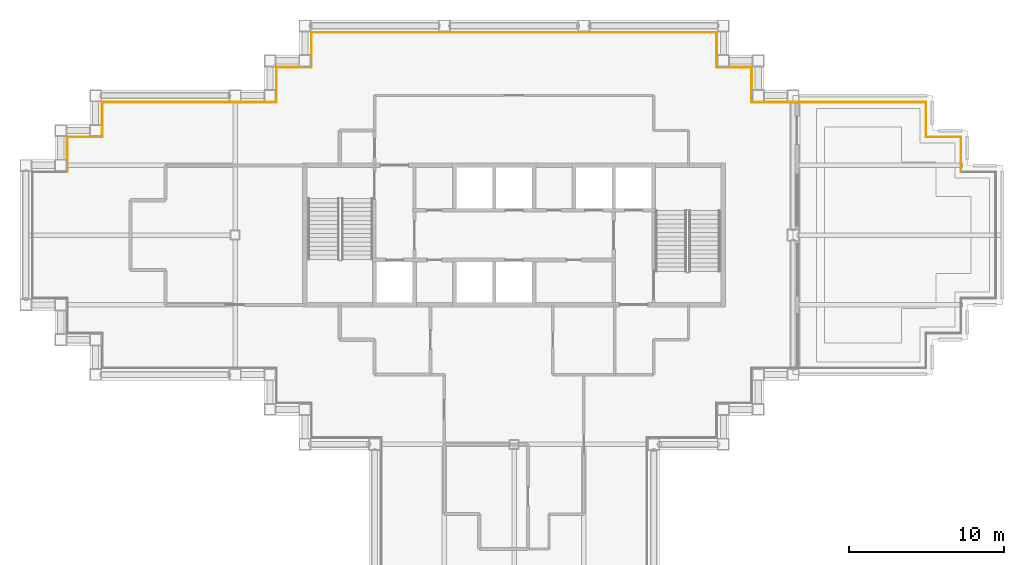
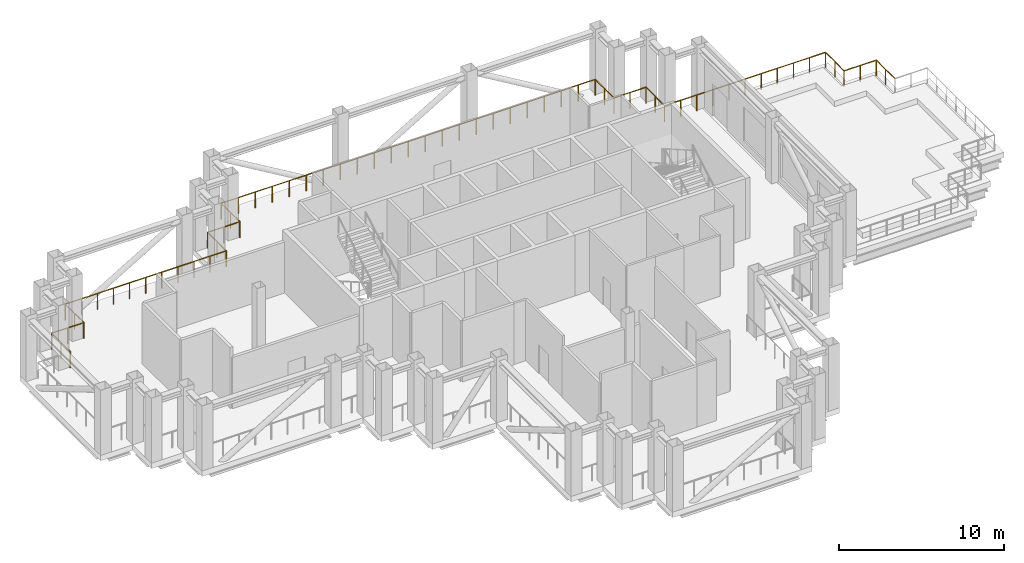
# One storey, part 10 of 10: 15 railings.
"""IFC4 building model written with IfcOpenShell, lengths in metres."""

from ifc_helpers import new_model, si_unit, direction, frame, origin, origin_2d, place, context, subcontext, project, spatial, circle, extrude, material, type_object, element, save


model = new_model("IFC4")

# Units and contexts
model_context = context("Model", 3, precision=1e-05, world=origin(), true_north=direction((0.0, 1.0)))
body_context = subcontext(model_context, "Body", "Model", "MODEL_VIEW")
ifc_project = project(units=[si_unit("LENGTHUNIT", "METRE"), si_unit("AREAUNIT", "SQUARE_METRE"), si_unit("VOLUMEUNIT", "CUBIC_METRE"), si_unit("PLANEANGLEUNIT", "RADIAN"), si_unit("MASSUNIT", "GRAM", prefix="KILO")], contexts=[model_context])

# Site, building, storey
site_placement = place(None, origin())
site = spatial("IfcSite", under=ifc_project, at=site_placement, CompositionType="ELEMENT")
building_placement = place(site_placement, origin())
building = spatial("IfcBuilding", under=site, at=building_placement, Name="Caravel Reach Hotel and Residences", CompositionType="ELEMENT")
storey_placement = place(building_placement, frame((0.0, 0.0, 187.60009765625)))
storey = spatial("IfcBuildingStorey", under=building, at=storey_placement, Name="L47", CompositionType="ELEMENT", Elevation=187.60009765625)

# Railings
ifc_material = material(Name="Stainless steel S30408", Category="steel")
railing_type = type_object("IfcRailingType", Name="G1 Guard 1200 stainless", PredefinedType="GUARDRAIL", material=ifc_material)
railing_1_placement = place(storey_placement, frame((60.324951171875, 31.074951171875, 0.0)))
element("IfcRailing", 1, at=railing_1_placement, inside=storey, type_object=railing_type, Name="Guard L47 1 run 8", PredefinedType="GUARDRAIL", context=body_context, shape_type="SweptSolid", body=[
    extrude(circle(Radius=0.02392578125, at=origin_2d()), frame((0.0, 0.0, 1.17578125), z_axis=(0.0, 1.0, 0.0), x_axis=(-1.0, 0.0, 0.0)), (0.0, 0.0, 1.0), 2.25),
    extrude(circle(Radius=0.02099609375, at=origin_2d()), frame((0.0, 1.125, 0.0)), (0.0, 0.0, 1.0), 1.15185546875),
    extrude(circle(Radius=0.02099609375, at=origin_2d()), frame((0.0, 2.25, 0.0)), (0.0, 0.0, 1.0), 1.15185546875),
])
railing_2_placement = place(storey_placement, frame((60.324951171875, 33.324951171875, 0.0)))
element("IfcRailing", 2, at=railing_2_placement, inside=storey, type_object=railing_type, Name="Guard L47 1 run 9", PredefinedType="GUARDRAIL", context=body_context, shape_type="SweptSolid", body=[
    extrude(circle(Radius=0.02392578125, at=origin_2d()), frame((0.0, 0.0, 1.17578125), z_axis=(-1.0, 0.0, 0.0), x_axis=(0.0, -1.0, 0.0)), (0.0, 0.0, 1.0), 2.25),
    extrude(circle(Radius=0.02099609375, at=origin_2d()), frame((-1.125, 0.0, 0.0)), (0.0, 0.0, 1.0), 1.15185546875),
    extrude(circle(Radius=0.02099609375, at=origin_2d()), frame((-2.25, 0.0, 0.0)), (0.0, 0.0, 1.0), 1.15185546875),
])
railing_3_placement = place(storey_placement, frame((58.074951171875, 33.324951171875, 0.0)))
element("IfcRailing", 3, at=railing_3_placement, inside=storey, type_object=railing_type, Name="Guard L47 1 run 10", PredefinedType="GUARDRAIL", context=body_context, shape_type="SweptSolid", body=[
    extrude(circle(Radius=0.02392578125, at=origin_2d()), frame((0.0, 0.0, 1.17578125), z_axis=(0.0, 1.0, 0.0), x_axis=(-1.0, 0.0, 0.0)), (0.0, 0.0, 1.0), 2.25),
    extrude(circle(Radius=0.02099609375, at=origin_2d()), frame((0.0, 1.125, 0.0)), (0.0, 0.0, 1.0), 1.15185546875),
    extrude(circle(Radius=0.02099609375, at=origin_2d()), frame((0.0, 2.25, 0.0)), (0.0, 0.0, 1.0), 1.15185546875),
])
railing_4_placement = place(storey_placement, frame((58.074951171875, 35.574951171875, 0.0)))
element("IfcRailing", 4, at=railing_4_placement, inside=storey, type_object=railing_type, Name="Guard L47 1 run 11", PredefinedType="GUARDRAIL", context=body_context, shape_type="SweptSolid", body=[
    extrude(circle(Radius=0.02392578125, at=origin_2d()), frame((0.0, 0.0, 1.17578125), z_axis=(-1.0, 0.0, 0.0), x_axis=(0.0, -1.0, 0.0)), (0.0, 0.0, 1.0), 11.25),
    extrude(circle(Radius=0.02099609375, at=origin_2d()), frame((-1.125, 0.0, 0.0)), (0.0, 0.0, 1.0), 1.15185546875),
    extrude(circle(Radius=0.02099609375, at=origin_2d()), frame((-2.25, 0.0, 0.0)), (0.0, 0.0, 1.0), 1.15185546875),
    extrude(circle(Radius=0.02099609375, at=origin_2d()), frame((-3.375, 0.0, 0.0)), (0.0, 0.0, 1.0), 1.15185546875),
    extrude(circle(Radius=0.02099609375, at=origin_2d()), frame((-4.5, 0.0, 0.0)), (0.0, 0.0, 1.0), 1.15185546875),
    extrude(circle(Radius=0.02099609375, at=origin_2d()), frame((-5.625, 0.0, 0.0)), (0.0, 0.0, 1.0), 1.15185546875),
    extrude(circle(Radius=0.02099609375, at=origin_2d()), frame((-6.75, 0.0, 0.0)), (0.0, 0.0, 1.0), 1.15185546875),
    extrude(circle(Radius=0.02099609375, at=origin_2d()), frame((-7.875, 0.0, 0.0)), (0.0, 0.0, 1.0), 1.15185546875),
    extrude(circle(Radius=0.02099609375, at=origin_2d()), frame((-9.0, 0.0, 0.0)), (0.0, 0.0, 1.0), 1.15185546875),
    extrude(circle(Radius=0.02099609375, at=origin_2d()), frame((-10.125, 0.0, 0.0)), (0.0, 0.0, 1.0), 1.15185546875),
    extrude(circle(Radius=0.02099609375, at=origin_2d()), frame((-11.25, 0.0, 0.0)), (0.0, 0.0, 1.0), 1.15185546875),
])
railing_5_placement = place(storey_placement, frame((46.824951171875, 35.574951171875, 0.0)))
element("IfcRailing", 5, at=railing_5_placement, inside=storey, type_object=railing_type, Name="Guard L47 1 run 12", PredefinedType="GUARDRAIL", context=body_context, shape_type="SweptSolid", body=[
    extrude(circle(Radius=0.02392578125, at=origin_2d()), frame((0.0, 0.0, 1.17578125), z_axis=(0.0, 1.0, 0.0), x_axis=(-1.0, 0.0, 0.0)), (0.0, 0.0, 1.0), 2.25),
    extrude(circle(Radius=0.02099609375, at=origin_2d()), frame((0.0, 1.125, 0.0)), (0.0, 0.0, 1.0), 1.15185546875),
    extrude(circle(Radius=0.02099609375, at=origin_2d()), frame((0.0, 2.25, 0.0)), (0.0, 0.0, 1.0), 1.15185546875),
])
railing_6_placement = place(storey_placement, frame((46.824951171875, 37.824951171875, 0.0)))
element("IfcRailing", 6, at=railing_6_placement, inside=storey, type_object=railing_type, Name="Guard L47 1 run 13", PredefinedType="GUARDRAIL", context=body_context, shape_type="SweptSolid", body=[
    extrude(circle(Radius=0.02392578125, at=origin_2d()), frame((0.0, 0.0, 1.17578125), z_axis=(-1.0, 0.0, 0.0), x_axis=(0.0, -1.0, 0.0)), (0.0, 0.0, 1.0), 2.25),
    extrude(circle(Radius=0.02099609375, at=origin_2d()), frame((-1.125, 0.0, 0.0)), (0.0, 0.0, 1.0), 1.15185546875),
    extrude(circle(Radius=0.02099609375, at=origin_2d()), frame((-2.25, 0.0, 0.0)), (0.0, 0.0, 1.0), 1.15185546875),
])
railing_7_placement = place(storey_placement, frame((44.574951171875, 37.824951171875, 0.0)))
element("IfcRailing", 7, at=railing_7_placement, inside=storey, type_object=railing_type, Name="Guard L47 1 run 14", PredefinedType="GUARDRAIL", context=body_context, shape_type="SweptSolid", body=[
    extrude(circle(Radius=0.02392578125, at=origin_2d()), frame((0.0, 0.0, 1.17578125), z_axis=(0.0, 1.0, 0.0), x_axis=(-1.0, 0.0, 0.0)), (0.0, 0.0, 1.0), 2.25),
    extrude(circle(Radius=0.02099609375, at=origin_2d()), frame((0.0, 1.125, 0.0)), (0.0, 0.0, 1.0), 1.15185546875),
    extrude(circle(Radius=0.02099609375, at=origin_2d()), frame((0.0, 2.25, 0.0)), (0.0, 0.0, 1.0), 1.15185546875),
])
railing_8_placement = place(storey_placement, frame((44.574951171875, 40.074951171875, 0.0)))
element("IfcRailing", 8, at=railing_8_placement, inside=storey, type_object=railing_type, Name="Guard L47 1 run 15", PredefinedType="GUARDRAIL", context=body_context, shape_type="SweptSolid", body=[
    extrude(circle(Radius=0.02392578125, at=origin_2d()), frame((0.0, 0.0, 1.17578125), z_axis=(-1.0, 0.0, 0.0), x_axis=(0.0, -1.0, 0.0)), (0.0, 0.0, 1.0), 26.14990234375),
    extrude(circle(Radius=0.02099609375, at=origin_2d()), frame((-1.188720703125, 0.0, 0.0)), (0.0, 0.0, 1.0), 1.15185546875),
    extrude(circle(Radius=0.02099609375, at=origin_2d()), frame((-2.377197265625, 0.0, 0.0)), (0.0, 0.0, 1.0), 1.15185546875),
    extrude(circle(Radius=0.02099609375, at=origin_2d()), frame((-3.56591796875, 0.0, 0.0)), (0.0, 0.0, 1.0), 1.15185546875),
    extrude(circle(Radius=0.02099609375, at=origin_2d()), frame((-4.754638671875, 0.0, 0.0)), (0.0, 0.0, 1.0), 1.15185546875),
    extrude(circle(Radius=0.02099609375, at=origin_2d()), frame((-5.943115234375, 0.0, 0.0)), (0.0, 0.0, 1.0), 1.15185546875),
    extrude(circle(Radius=0.02099609375, at=origin_2d()), frame((-7.1318359375, 0.0, 0.0)), (0.0, 0.0, 1.0), 1.15185546875),
    extrude(circle(Radius=0.02099609375, at=origin_2d()), frame((-8.3203125, 0.0, 0.0)), (0.0, 0.0, 1.0), 1.15185546875),
    extrude(circle(Radius=0.02099609375, at=origin_2d()), frame((-9.509033203125, 0.0, 0.0)), (0.0, 0.0, 1.0), 1.15185546875),
    extrude(circle(Radius=0.02099609375, at=origin_2d()), frame((-10.69775390625, 0.0, 0.0)), (0.0, 0.0, 1.0), 1.15185546875),
    extrude(circle(Radius=0.02099609375, at=origin_2d()), frame((-11.88623046875, 0.0, 0.0)), (0.0, 0.0, 1.0), 1.15185546875),
    extrude(circle(Radius=0.02099609375, at=origin_2d()), frame((-13.074951171875, 0.0, 0.0)), (0.0, 0.0, 1.0), 1.15185546875),
    extrude(circle(Radius=0.02099609375, at=origin_2d()), frame((-14.263671875, 0.0, 0.0)), (0.0, 0.0, 1.0), 1.15185546875),
    extrude(circle(Radius=0.02099609375, at=origin_2d()), frame((-15.4521484375, 0.0, 0.0)), (0.0, 0.0, 1.0), 1.15185546875),
    extrude(circle(Radius=0.02099609375, at=origin_2d()), frame((-16.640869140625, 0.0, 0.0)), (0.0, 0.0, 1.0), 1.15185546875),
    extrude(circle(Radius=0.02099609375, at=origin_2d()), frame((-17.82958984375, 0.0, 0.0)), (0.0, 0.0, 1.0), 1.15185546875),
    extrude(circle(Radius=0.02099609375, at=origin_2d()), frame((-19.01806640625, 0.0, 0.0)), (0.0, 0.0, 1.0), 1.15185546875),
    extrude(circle(Radius=0.02099609375, at=origin_2d()), frame((-20.206787109375, 0.0, 0.0)), (0.0, 0.0, 1.0), 1.15185546875),
    extrude(circle(Radius=0.02099609375, at=origin_2d()), frame((-21.395263671875, 0.0, 0.0)), (0.0, 0.0, 1.0), 1.15185546875),
    extrude(circle(Radius=0.02099609375, at=origin_2d()), frame((-22.583984375, 0.0, 0.0)), (0.0, 0.0, 1.0), 1.15185546875),
    extrude(circle(Radius=0.02099609375, at=origin_2d()), frame((-23.772705078125, 0.0, 0.0)), (0.0, 0.0, 1.0), 1.15185546875),
    extrude(circle(Radius=0.02099609375, at=origin_2d()), frame((-24.961181640625, 0.0, 0.0)), (0.0, 0.0, 1.0), 1.15185546875),
    extrude(circle(Radius=0.02099609375, at=origin_2d()), frame((-26.14990234375, 0.0, 0.0)), (0.0, 0.0, 1.0), 1.15185546875),
])
railing_9_placement = place(storey_placement, frame((18.425048828125, 40.074951171875, 0.0)))
element("IfcRailing", 9, at=railing_9_placement, inside=storey, type_object=railing_type, Name="Guard L47 1 run 16", PredefinedType="GUARDRAIL", context=body_context, shape_type="SweptSolid", body=[
    extrude(circle(Radius=0.02392578125, at=origin_2d()), frame((0.0, 0.0, 1.17578125), z_axis=(0.0, -1.0, 0.0), x_axis=(1.0, 0.0, 0.0)), (0.0, 0.0, 1.0), 2.25),
    extrude(circle(Radius=0.02099609375, at=origin_2d()), frame((0.0, -1.125, 0.0)), (0.0, 0.0, 1.0), 1.15185546875),
    extrude(circle(Radius=0.02099609375, at=origin_2d()), frame((0.0, -2.25, 0.0)), (0.0, 0.0, 1.0), 1.15185546875),
])
railing_10_placement = place(storey_placement, frame((18.425048828125, 37.824951171875, 0.0)))
element("IfcRailing", 10, at=railing_10_placement, inside=storey, type_object=railing_type, Name="Guard L47 1 run 17", PredefinedType="GUARDRAIL", context=body_context, shape_type="SweptSolid", body=[
    extrude(circle(Radius=0.02392578125, at=origin_2d()), frame((0.0, 0.0, 1.17578125), z_axis=(-1.0, 0.0, 0.0), x_axis=(0.0, -1.0, 0.0)), (0.0, 0.0, 1.0), 2.25),
    extrude(circle(Radius=0.02099609375, at=origin_2d()), frame((-1.125, 0.0, 0.0)), (0.0, 0.0, 1.0), 1.15185546875),
    extrude(circle(Radius=0.02099609375, at=origin_2d()), frame((-2.25, 0.0, 0.0)), (0.0, 0.0, 1.0), 1.15185546875),
])
railing_11_placement = place(storey_placement, frame((16.175048828125, 37.824951171875, 0.0)))
element("IfcRailing", 11, at=railing_11_placement, inside=storey, type_object=railing_type, Name="Guard L47 1 run 18", PredefinedType="GUARDRAIL", context=body_context, shape_type="SweptSolid", body=[
    extrude(circle(Radius=0.02392578125, at=origin_2d()), frame((0.0, 0.0, 1.17578125), z_axis=(0.0, -1.0, 0.0), x_axis=(1.0, 0.0, 0.0)), (0.0, 0.0, 1.0), 2.25),
    extrude(circle(Radius=0.02099609375, at=origin_2d()), frame((0.0, -1.125, 0.0)), (0.0, 0.0, 1.0), 1.15185546875),
    extrude(circle(Radius=0.02099609375, at=origin_2d()), frame((0.0, -2.25, 0.0)), (0.0, 0.0, 1.0), 1.15185546875),
])
railing_12_placement = place(storey_placement, frame((16.175048828125, 35.574951171875, 0.0)))
element("IfcRailing", 12, at=railing_12_placement, inside=storey, type_object=railing_type, Name="Guard L47 1 run 19", PredefinedType="GUARDRAIL", context=body_context, shape_type="SweptSolid", body=[
    extrude(circle(Radius=0.02392578125, at=origin_2d()), frame((0.0, 0.0, 1.17578125), z_axis=(-1.0, 0.0, 0.0), x_axis=(0.0, -1.0, 0.0)), (0.0, 0.0, 1.0), 11.25),
    extrude(circle(Radius=0.02099609375, at=origin_2d()), frame((-1.125, 0.0, 0.0)), (0.0, 0.0, 1.0), 1.15185546875),
    extrude(circle(Radius=0.02099609375, at=origin_2d()), frame((-2.25, 0.0, 0.0)), (0.0, 0.0, 1.0), 1.15185546875),
    extrude(circle(Radius=0.02099609375, at=origin_2d()), frame((-3.375, 0.0, 0.0)), (0.0, 0.0, 1.0), 1.15185546875),
    extrude(circle(Radius=0.02099609375, at=origin_2d()), frame((-4.5, 0.0, 0.0)), (0.0, 0.0, 1.0), 1.15185546875),
    extrude(circle(Radius=0.02099609375, at=origin_2d()), frame((-5.625, 0.0, 0.0)), (0.0, 0.0, 1.0), 1.15185546875),
    extrude(circle(Radius=0.02099609375, at=origin_2d()), frame((-6.75, 0.0, 0.0)), (0.0, 0.0, 1.0), 1.15185546875),
    extrude(circle(Radius=0.02099609375, at=origin_2d()), frame((-7.875, 0.0, 0.0)), (0.0, 0.0, 1.0), 1.15185546875),
    extrude(circle(Radius=0.02099609375, at=origin_2d()), frame((-9.0, 0.0, 0.0)), (0.0, 0.0, 1.0), 1.15185546875),
    extrude(circle(Radius=0.02099609375, at=origin_2d()), frame((-10.125, 0.0, 0.0)), (0.0, 0.0, 1.0), 1.15185546875),
    extrude(circle(Radius=0.02099609375, at=origin_2d()), frame((-11.25, 0.0, 0.0)), (0.0, 0.0, 1.0), 1.15185546875),
])
railing_13_placement = place(storey_placement, frame((4.925048828125, 35.574951171875, 0.0)))
element("IfcRailing", 13, at=railing_13_placement, inside=storey, type_object=railing_type, Name="Guard L47 1 run 20", PredefinedType="GUARDRAIL", context=body_context, shape_type="SweptSolid", body=[
    extrude(circle(Radius=0.02392578125, at=origin_2d()), frame((0.0, 0.0, 1.17578125), z_axis=(0.0, -1.0, 0.0), x_axis=(1.0, 0.0, 0.0)), (0.0, 0.0, 1.0), 2.25),
    extrude(circle(Radius=0.02099609375, at=origin_2d()), frame((0.0, -1.125, 0.0)), (0.0, 0.0, 1.0), 1.15185546875),
    extrude(circle(Radius=0.02099609375, at=origin_2d()), frame((0.0, -2.25, 0.0)), (0.0, 0.0, 1.0), 1.15185546875),
])
railing_14_placement = place(storey_placement, frame((4.925048828125, 33.324951171875, 0.0)))
element("IfcRailing", 14, at=railing_14_placement, inside=storey, type_object=railing_type, Name="Guard L47 1 run 21", PredefinedType="GUARDRAIL", context=body_context, shape_type="SweptSolid", body=[
    extrude(circle(Radius=0.02392578125, at=origin_2d()), frame((0.0, 0.0, 1.17578125), z_axis=(-1.0, 0.0, 0.0), x_axis=(0.0, -1.0, 0.0)), (0.0, 0.0, 1.0), 2.25),
    extrude(circle(Radius=0.02099609375, at=origin_2d()), frame((-1.125, 0.0, 0.0)), (0.0, 0.0, 1.0), 1.15185546875),
    extrude(circle(Radius=0.02099609375, at=origin_2d()), frame((-2.25, 0.0, 0.0)), (0.0, 0.0, 1.0), 1.15185546875),
])
railing_15_placement = place(storey_placement, frame((2.675048828125, 33.324951171875, 0.0)))
element("IfcRailing", 15, at=railing_15_placement, inside=storey, type_object=railing_type, Name="Guard L47 1 run 22", PredefinedType="GUARDRAIL", context=body_context, shape_type="SweptSolid", body=[
    extrude(circle(Radius=0.02392578125, at=origin_2d()), frame((0.0, 0.0, 1.17578125), z_axis=(0.0, -1.0, 0.0), x_axis=(1.0, 0.0, 0.0)), (0.0, 0.0, 1.0), 2.25),
    extrude(circle(Radius=0.02099609375, at=origin_2d()), frame((0.0, -1.125, 0.0)), (0.0, 0.0, 1.0), 1.15185546875),
    extrude(circle(Radius=0.02099609375, at=origin_2d()), frame((0.0, -2.25, 0.0)), (0.0, 0.0, 1.0), 1.15185546875),
])

save(model, "model.ifc")
